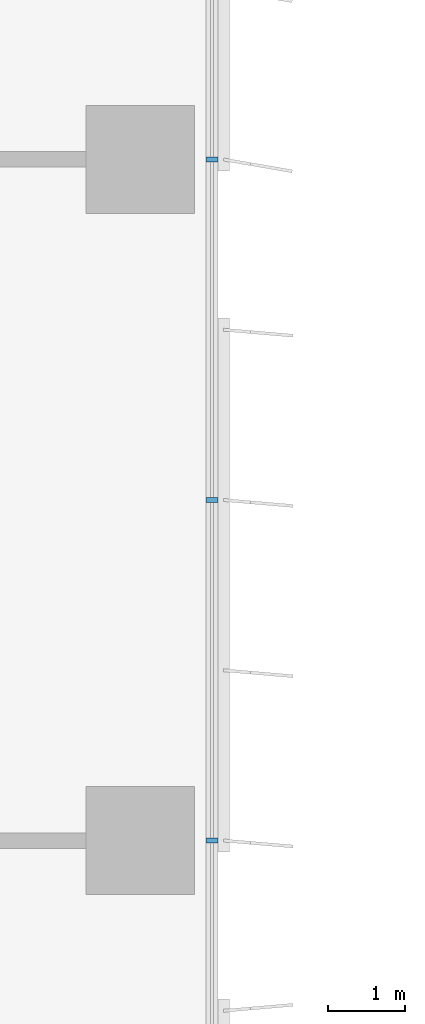
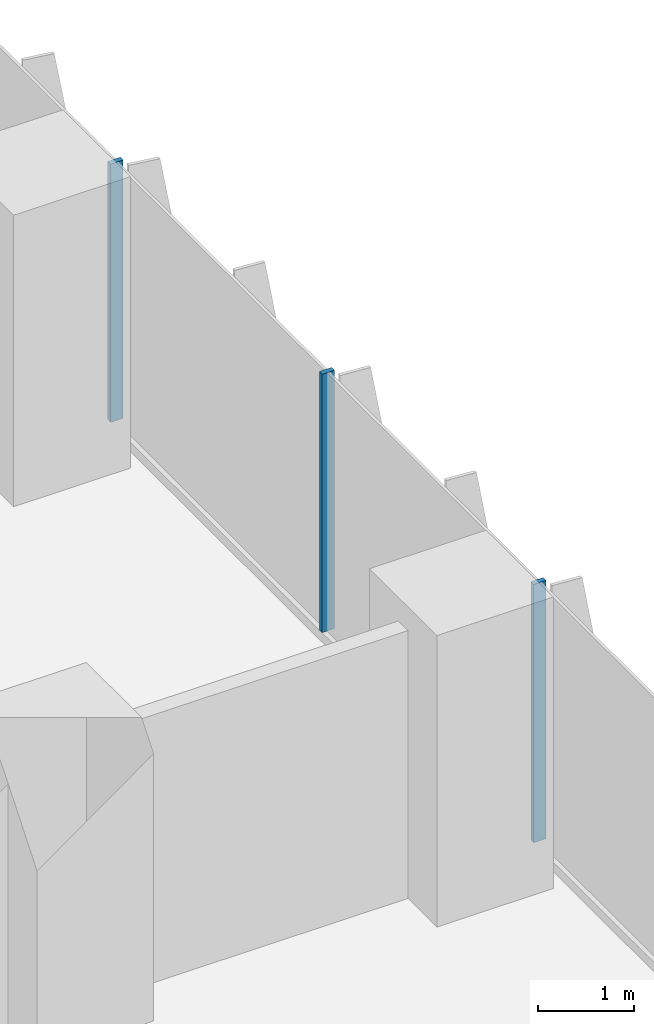
# One storey, part 7 of 24: 3 members, 1 element without a shape of its own.
"""IFC4 building model written with IfcOpenShell, lengths in metres."""

from ifc_helpers import new_model, si_unit, direction, frame, origin, origin_2d, place, context, subcontext, project, spatial, rectangle, extrude, source, transform, mapped, material, material_profile, profile_set, type_object, element, aggregate, save


model = new_model("IFC4")

# Units and contexts
model_context = context("Model", 3, precision=1e-05, world=origin(), true_north=direction((0.0, 1.0)))
body_context = subcontext(model_context, "Body", "Model", "MODEL_VIEW")
ifc_project = project(units=[si_unit("LENGTHUNIT", "METRE"), si_unit("AREAUNIT", "SQUARE_METRE"), si_unit("VOLUMEUNIT", "CUBIC_METRE"), si_unit("PLANEANGLEUNIT", "RADIAN"), si_unit("MASSUNIT", "GRAM", prefix="KILO")], contexts=[model_context])

# Site, building, storey
site_placement = place(None, origin())
site = spatial("IfcSite", under=ifc_project, at=site_placement, CompositionType="ELEMENT")
building_placement = place(site_placement, origin())
building = spatial("IfcBuilding", under=site, at=building_placement, Name="Kemantara Hotel Tower", CompositionType="ELEMENT")
storey_placement = place(building_placement, frame((0.0, 0.0, 76.0)))
storey = spatial("IfcBuildingStorey", under=building, at=storey_placement, Name="L17", CompositionType="ELEMENT", Elevation=76.0)

# Curtain wall, members
ifc_material_1 = material(Name="Low-E tinted double insulated glass 36 mm", Category="glass")
curtain_wall_type = type_object("IfcCurtainWallType", Name="TOWER CURTAIN WALL, FRONT FACES", PredefinedType="USERDEFINED", material=ifc_material_1)
curtain_wall_placement = place(storey_placement, origin())
curtain_wall = element("IfcCurtainWall", 1, at=curtain_wall_placement, inside=storey, type_object=curtain_wall_type, Name="CW4 L17 T1-R08-1", ObjectType="TOWER CURTAIN WALL, FRONT FACES", PredefinedType="USERDEFINED")
ifc_material_2 = material(Name="Aluminium 6063-T6 bronze anodised", Category="aluminium")
ifc_material_profile = material_profile(ifc_material_2, rectangle(XDim=0.14990234375, YDim=0.06005859375, at=origin_2d()), Name="TOWER CURTAIN WALL, FRONT FACES MULLION")
ifc_profile_set = profile_set([ifc_material_profile], Name="Aluminium 6063-T6 bronze anodised")
member_type = type_object("IfcMemberType", Name="TOWER CURTAIN WALL, FRONT FACES MULLION", PredefinedType="MULLION", material=ifc_profile_set)
shared_shape = source(origin(), body_context, "Body", "SweptSolid", [
    extrude(rectangle(XDim=0.14990234375, YDim=0.06005859375, at=origin_2d()), origin(), (0.0, 0.0, 1.0), 3.27978515625),
])
member_1_placement = place(storey_placement, frame((26.72509765625, 53.800048828125, 0.1201171875), z_axis=(0.0, 0.0, 1.0), x_axis=(-1.0, 0.0, 0.0)))
member_1 = element("IfcMember", 2, at=member_1_placement, type_object=member_type, Name="CW4 mullion T1-R08-1.8", PredefinedType="MULLION", context=body_context, shape_type="MappedRepresentation", body=[
    mapped(shared_shape, transform((0.0, 0.0, 0.0))),
])
member_2_placement = place(storey_placement, frame((26.72509765625, 58.199951171875, 0.1201171875), z_axis=(0.0, 0.0, 1.0), x_axis=(-1.0, 0.0, 0.0)))
member_2 = element("IfcMember", 3, at=member_2_placement, type_object=member_type, Name="CW4 mullion T1-R08-1.9", PredefinedType="MULLION", context=body_context, shape_type="MappedRepresentation", body=[
    mapped(shared_shape, transform((0.0, 0.0, 0.0))),
])
member_3_placement = place(storey_placement, frame((26.72509765625, 62.60009765625, 0.1201171875), z_axis=(0.0, 0.0, 1.0), x_axis=(-1.0, 0.0, 0.0)))
member_3 = element("IfcMember", 4, at=member_3_placement, type_object=member_type, Name="CW4 mullion T1-R08-1.10", PredefinedType="MULLION", context=body_context, shape_type="MappedRepresentation", body=[
    mapped(shared_shape, transform((0.0, 0.0, 0.0))),
])
aggregate(curtain_wall, [member_1, member_2, member_3])

save(model, "model.ifc")
